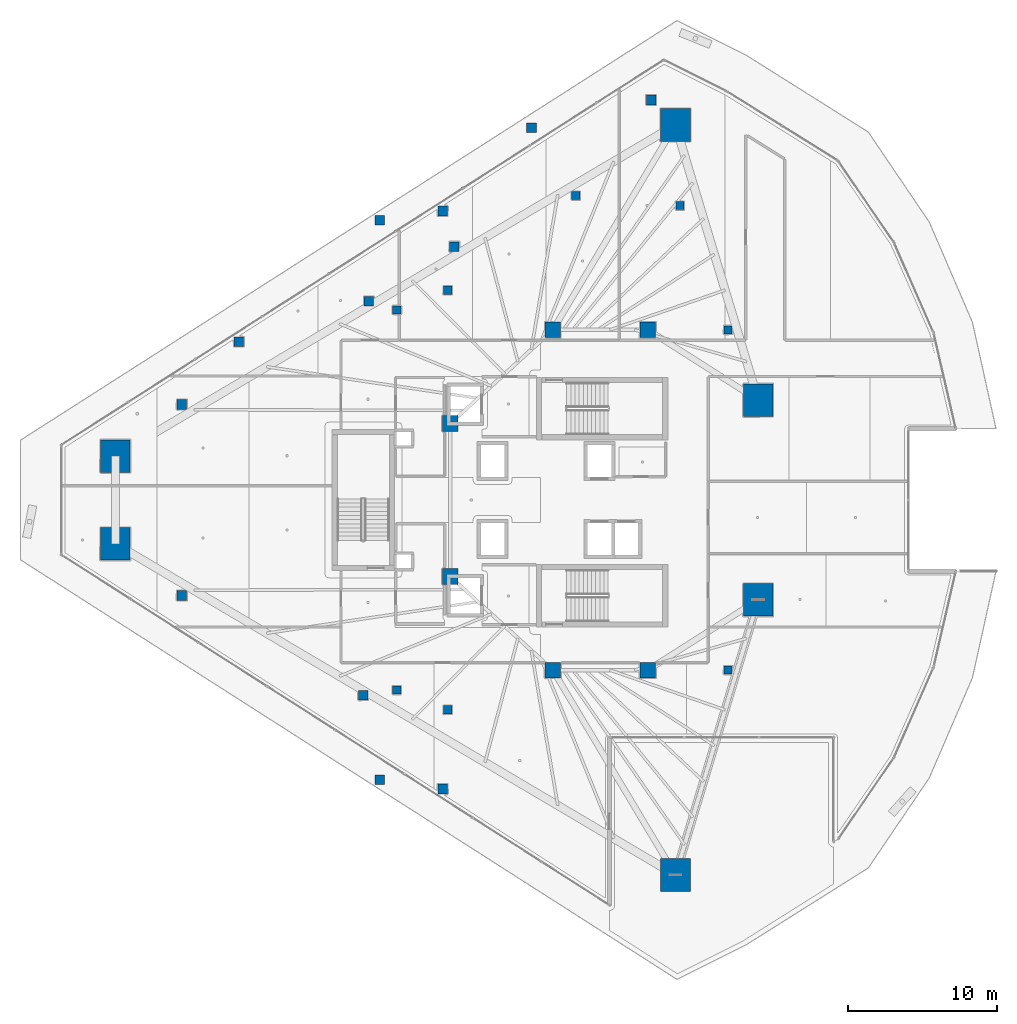
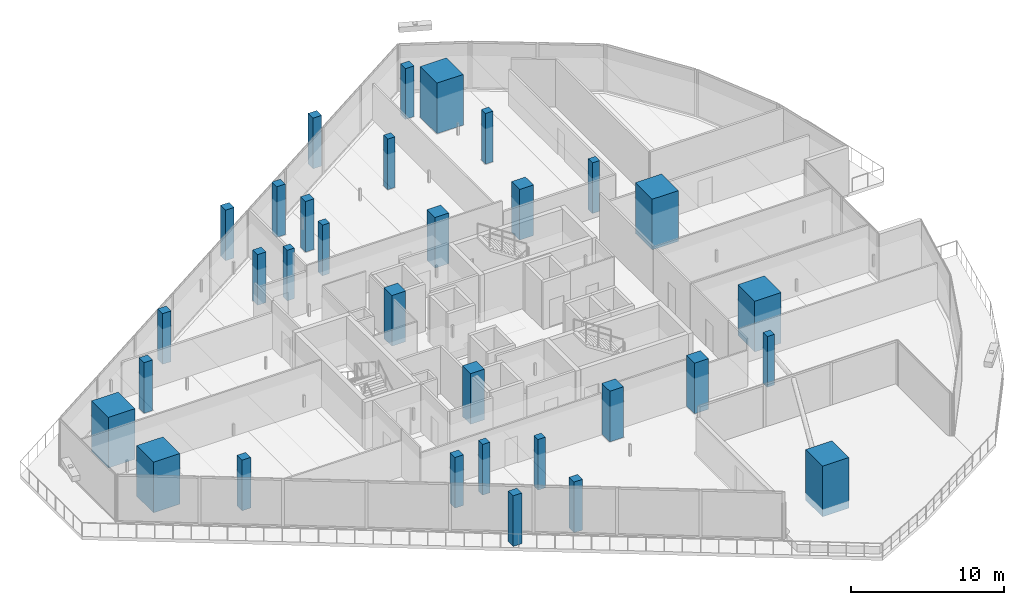
# One storey, part 1 of 39: 32 columns.
"""IFC4 building model written with IfcOpenShell, lengths in metres."""

from ifc_helpers import new_model, si_unit, direction, frame, origin, origin_2d, place, context, subcontext, project, spatial, rectangle, extrude, material, material_profile, profile_set, type_object, element, save


model = new_model("IFC4")

# Units and contexts
model_context = context("Model", 3, precision=1e-05, world=origin(), true_north=direction((0.0, 1.0)))
body_context = subcontext(model_context, "Body", "Model", "MODEL_VIEW")
ifc_project = project(units=[si_unit("LENGTHUNIT", "METRE"), si_unit("AREAUNIT", "SQUARE_METRE"), si_unit("VOLUMEUNIT", "CUBIC_METRE"), si_unit("PLANEANGLEUNIT", "RADIAN"), si_unit("MASSUNIT", "GRAM", prefix="KILO")], contexts=[model_context])

# Site, building, storey
site_placement = place(None, origin())
site = spatial("IfcSite", under=ifc_project, at=site_placement, CompositionType="ELEMENT")
building_placement = place(site_placement, origin())
building = spatial("IfcBuilding", under=site, at=building_placement, Name="Qorvath Tower", CompositionType="ELEMENT")
storey_placement = place(building_placement, frame((0.0, 0.0, 154.35009765625)))
storey = spatial("IfcBuildingStorey", under=building, at=storey_placement, Name="L35", CompositionType="ELEMENT", Elevation=154.35009765625)

# Columns
ifc_material_1 = material(Name="Concrete C70/85", Category="concrete")
ifc_material_profile_1 = material_profile(ifc_material_1, rectangle(XDim=2.0, YDim=2.199951171875, at=origin_2d()), Name="MC 2200x2000")
ifc_profile_set_1 = profile_set([ifc_material_profile_1], Name="Concrete C70/85")
column_type_1 = type_object("IfcColumnType", Name="COL-MC2", PredefinedType="COLUMN", material=ifc_profile_set_1)
for number, where, z_axis, x_axis, name in (
    (1, (-53.04931640625, 2.95068359375, 0.0), (0.0, 0.0, 1.0), (1.0, 0.0, 0.0), "Composite Mega-Column MC1 L35"),
    (2, (-53.04931640625, -2.95068359375, 0.0), (0.0, 0.0, 1.0), (1.0, 0.0, 0.0), "Composite Mega-Column MC2 L35"),
    (3, (-15.34423828125, -25.24609375, 0.0), (0.0, 0.0, 1.0), (1.0, 0.0, 0.0), "Composite Mega-Column MC3 L35"),
    (4, (-9.770263671875, -6.721435546875, 0.0), (0.0, 0.0, 1.0), (1.0, 0.0, 0.0), "Composite Mega-Column MC4 L35"),
    (5, (-9.770263671875, 6.721435546875, 0.0), (0.0, 0.0, 1.0), (1.0, 0.0, 0.0), "Composite Mega-Column MC5 L35"),
    (6, (-15.34423828125, 25.24609375, 0.0), (0.0, 0.0, 1.0), (1.0, 0.0, 0.0), "Composite Mega-Column MC6 L35"),
):
    element("IfcColumn", number, at=place(storey_placement, frame(where, z_axis=z_axis, x_axis=x_axis)), inside=storey, type_object=column_type_1, Name=name, PredefinedType="COLUMN", context=body_context, shape_type="SweptSolid", body=[
        extrude(rectangle(XDim=2.0, YDim=2.199951171875, at=origin_2d()), origin(), (0.0, 0.0, 1.0), 4.0498046875),
    ])
ifc_material_2 = material(Name="Concrete C60/75", Category="concrete")
ifc_material_profile_2 = material_profile(ifc_material_2, rectangle(XDim=1.050048828125, YDim=1.050048828125, at=origin_2d()), Name="RC 1050x1050")
ifc_profile_set_2 = profile_set([ifc_material_profile_2], Name="Concrete C60/75")
column_type_2 = type_object("IfcColumnType", Name="COL-RC2", PredefinedType="COLUMN", material=ifc_profile_set_2)
for number, where, z_axis, x_axis, name in (
    (7, (-23.60009765625, 11.449951171875, 0.0), (0.0, 0.0, 1.0), (1.0, 0.0, 0.0), "Core Spine Column CC1 L35"),
    (8, (-17.199951171875, 11.449951171875, 0.0), (0.0, 0.0, 1.0), (1.0, 0.0, 0.0), "Core Spine Column CC2 L35"),
    (9, (-17.199951171875, -11.449951171875, 0.0), (0.0, 0.0, 1.0), (1.0, 0.0, 0.0), "Core Spine Column CC3 L35"),
    (10, (-23.60009765625, -11.449951171875, 0.0), (0.0, 0.0, 1.0), (1.0, 0.0, 0.0), "Core Spine Column CC4 L35"),
    (11, (-30.5, 5.14990234375, 0.0), (0.0, 0.0, 1.0), (1.0, 0.0, 0.0), "Core Spine Column CC5 L35"),
    (12, (-30.5, -5.14990234375, 0.0), (0.0, 0.0, 1.0), (1.0, 0.0, 0.0), "Core Spine Column CC6 L35"),
):
    element("IfcColumn", number, at=place(storey_placement, frame(where, z_axis=z_axis, x_axis=x_axis)), inside=storey, type_object=column_type_2, Name=name, PredefinedType="COLUMN", context=body_context, shape_type="SweptSolid", body=[
        extrude(rectangle(XDim=1.050048828125, YDim=1.050048828125, at=origin_2d()), origin(), (0.0, 0.0, 1.0), 4.0498046875),
    ])
ifc_material_3 = material(Name="Concrete C45/55", Category="concrete")
ifc_material_profile_3 = material_profile(ifc_material_3, rectangle(XDim=0.64990234375, YDim=0.64990234375, at=origin_2d()), Name="RC 650x650")
ifc_profile_set_3 = profile_set([ifc_material_profile_3], Name="Concrete C45/55")
column_type_3 = type_object("IfcColumnType", Name="COL-RC6", PredefinedType="COLUMN", material=ifc_profile_set_3)
for number, where, z_axis, x_axis, name in (
    (13, (-35.251708984375, 18.829345703125, 0.0), (0.0, 0.0, 1.0), (1.0, 0.0, 0.0), "Loggia Frame Pier Column LGC1 L35"),
    (14, (-35.251708984375, -18.829345703125, 0.0), (0.0, 0.0, 1.0), (1.0, 0.0, 0.0), "Loggia Frame Pier Column LGC2 L35"),
    (15, (-25.03759765625, 25.058837890625, 0.0), (0.0, 0.0, 1.0), (1.0, 0.0, 0.0), "Loggia Frame Pier Column LGC3 L35"),
    (16, (-31.01611328125, 19.46044921875, 0.0), (0.0, 0.0, 1.0), (1.0, 0.0, 0.0), "Loggia Frame Pier Column LGD1 L35"),
    (17, (-31.01611328125, -19.46044921875, 0.0), (0.0, 0.0, 1.0), (1.0, 0.0, 0.0), "Loggia Frame Pier Column LGD2 L35"),
    (18, (-44.736328125, 10.65234375, 0.0), (0.0, 0.0, 1.0), (1.0, 0.0, 0.0), "Loggia Frame Pier Column LGD3 L35"),
    (19, (-48.578369140625, 6.424560546875, 0.0), (0.0, 0.0, 1.0), (1.0, 0.0, 0.0), "Loggia Frame Pier Column LGE1 L35"),
    (20, (-48.578369140625, -6.424560546875, 0.0), (0.0, 0.0, 1.0), (1.0, 0.0, 0.0), "Loggia Frame Pier Column LGE2 L35"),
    (21, (-16.981201171875, 26.92919921875, 0.0), (0.0, 0.0, 1.0), (1.0, 0.0, 0.0), "Loggia Frame Pier Column LGE3 L35"),
    (22, (-35.980712890625, 13.380859375, 0.0), (0.0, 0.0, 1.0), (1.0, 0.0, 0.0), "Loggia Frame Pier Column LGF1 L35"),
    (23, (-36.36474609375, -13.135498046875, 0.0), (0.0, 0.0, 1.0), (1.0, 0.0, 0.0), "Loggia Frame Pier Column LGF2 L35"),
    (24, (-30.224853515625, 17.0595703125, 0.0), (0.0, 0.0, 1.0), (1.0, 0.0, 0.0), "Loggia Frame Pier Column LGF3 L35"),
):
    element("IfcColumn", number, at=place(storey_placement, frame(where, z_axis=z_axis, x_axis=x_axis)), inside=storey, type_object=column_type_3, Name=name, PredefinedType="COLUMN", context=body_context, shape_type="SweptSolid", body=[
        extrude(rectangle(XDim=0.64990234375, YDim=0.64990234375, at=origin_2d()), origin(), (0.0, 0.0, 1.0), 4.0498046875),
    ])
ifc_material_4 = material(Name="Concrete C45/55", Category="concrete")
ifc_material_profile_4 = material_profile(ifc_material_4, rectangle(XDim=0.550048828125, YDim=0.550048828125, at=origin_2d()), Name="RC 550x550")
ifc_profile_set_4 = profile_set([ifc_material_profile_4], Name="Concrete C45/55")
column_type_4 = type_object("IfcColumnType", Name="COL-RC7", PredefinedType="COLUMN", material=ifc_profile_set_4)
for number, where, z_axis, x_axis, name in (
    (25, (-34.104248046875, 12.79248046875, 0.0), (0.0, 0.0, 1.0), (1.0, 0.0, 0.0), "Loggia Frame Pier Column LGG1 L35"),
    (26, (-34.104248046875, -12.79248046875, 0.0), (0.0, 0.0, 1.0), (1.0, 0.0, 0.0), "Loggia Frame Pier Column LGG2 L35"),
    (27, (-22.05322265625, 20.494873046875, 0.0), (0.0, 0.0, 1.0), (1.0, 0.0, 0.0), "Loggia Frame Pier Column LGG3 L35"),
    (28, (-30.67724609375, 14.124267578125, 0.0), (0.0, 0.0, 1.0), (1.0, 0.0, 0.0), "Loggia Frame Pier Column LGH1 L35"),
    (29, (-30.67724609375, -14.124267578125, 0.0), (0.0, 0.0, 1.0), (1.0, 0.0, 0.0), "Loggia Frame Pier Column LGH2 L35"),
    (30, (-15.046142578125, 19.818115234375, 0.0), (0.0, 0.0, 1.0), (1.0, 0.0, 0.0), "Loggia Frame Pier Column LGH3 L35"),
    (31, (-11.800048828125, -11.449951171875, 0.0), (0.0, 0.0, 1.0), (1.0, 0.0, 0.0), "Central Slot Jamb Column SC1 L35"),
    (32, (-11.800048828125, 11.449951171875, 0.0), (0.0, 0.0, 1.0), (1.0, 0.0, 0.0), "Central Slot Jamb Column SC2 L35"),
):
    element("IfcColumn", number, at=place(storey_placement, frame(where, z_axis=z_axis, x_axis=x_axis)), inside=storey, type_object=column_type_4, Name=name, PredefinedType="COLUMN", context=body_context, shape_type="SweptSolid", body=[
        extrude(rectangle(XDim=0.550048828125, YDim=0.550048828125, at=origin_2d()), origin(), (0.0, 0.0, 1.0), 4.0498046875),
    ])

save(model, "model.ifc")
